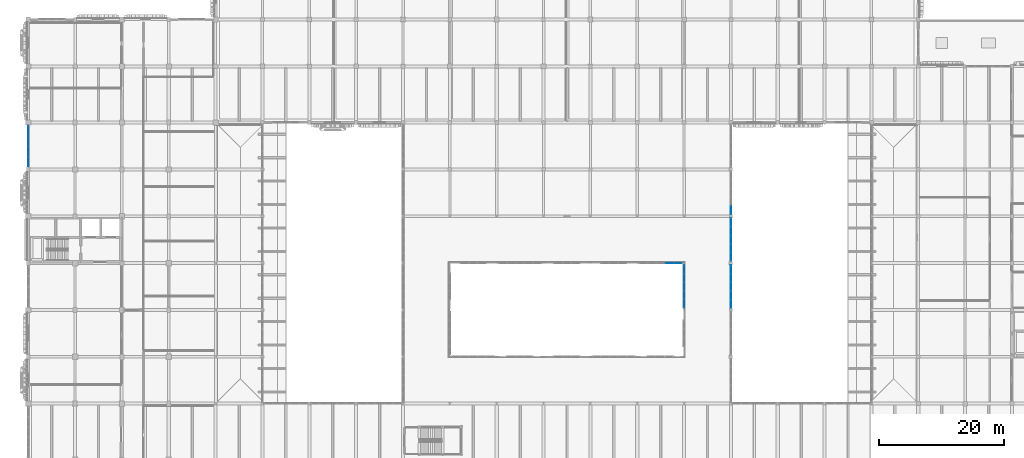
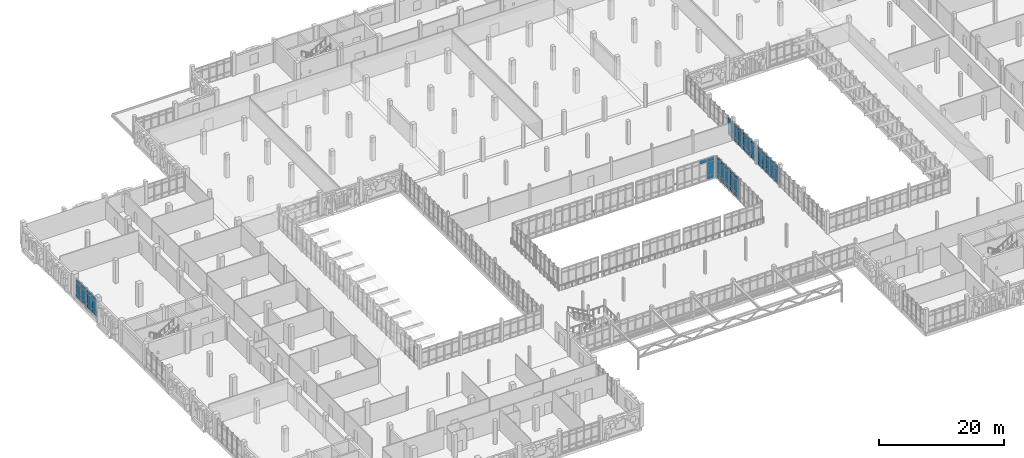
# One storey, part 81 of 128: 64 plates, 6 elements without a shape of their own.
"""IFC4 building model written with IfcOpenShell, lengths in metres."""

from ifc_helpers import new_model, si_unit, direction, frame, origin, origin_2d, place, context, subcontext, project, spatial, rectangle, extrude, material, layer, layer_set, type_object, element, aggregate, save


model = new_model("IFC4")

# Units and contexts
model_context = context("Model", 3, precision=1e-05, world=origin(), true_north=direction((0.0, 1.0)))
body_context = subcontext(model_context, "Body", "Model", "MODEL_VIEW")
ifc_project = project(units=[si_unit("LENGTHUNIT", "METRE"), si_unit("AREAUNIT", "SQUARE_METRE"), si_unit("VOLUMEUNIT", "CUBIC_METRE"), si_unit("PLANEANGLEUNIT", "RADIAN"), si_unit("MASSUNIT", "GRAM", prefix="KILO")], contexts=[model_context])

# Site, building, storey
site_placement = place(None, origin())
site = spatial("IfcSite", under=ifc_project, at=site_placement, CompositionType="ELEMENT")
building_placement = place(site_placement, origin())
building = spatial("IfcBuilding", under=site, at=building_placement, Name="Dalvernix Boulevard General Hospital", CompositionType="ELEMENT")
storey_placement = place(building_placement, frame((0.0, 0.0, 4.800048828125)))
storey = spatial("IfcBuildingStorey", under=building, at=storey_placement, Name="L01", CompositionType="ELEMENT", Elevation=4.800048828125)

# Curtain wall, plates
ifc_material_1 = material(Name="Thermally broken aluminium and solar-control glass curtain wall", Category="aluminium")
ifc_layer_1 = layer(ifc_material_1, 0.159912109375)
ifc_layer_set_1 = layer_set([ifc_layer_1], Name="Thermally broken aluminium and solar-control glass curtain wall (CW-CW-A-69x42)")
curtain_wall_type_1 = type_object("IfcCurtainWallType", Name="CW-CW-A-69x42", PredefinedType="USERDEFINED", material=ifc_layer_set_1)
curtain_wall_1_placement = place(storey_placement, origin())
curtain_wall_1 = element("IfcCurtainWall", 1, at=curtain_wall_1_placement, inside=storey, type_object=curtain_wall_type_1, Name="L01 curtain wall CW-A-69x42 13-7", ObjectType="GLAZED FACADE", PredefinedType="USERDEFINED")
ifc_material_2 = material(Name="Double-glazed solar-control low-emissivity glass", Category="glass")
ifc_layer_2 = layer(ifc_material_2, 0.02392578125)
ifc_layer_set_2 = layer_set([ifc_layer_2], Name="Double-glazed solar-control low-emissivity glass (PLT-CW-P1)")
plate_type_1 = type_object("IfcPlateType", Name="PLT-CW-P1", PredefinedType="CURTAIN_PANEL", material=ifc_layer_set_2)
plate_1_placement = place(storey_placement, frame((103.987060546875, 54.0, 0.059814453125), z_axis=(0.0, 0.0, 1.0), x_axis=(-1.0, 0.0, 0.0)))
plate_1 = element("IfcPlate", 2, at=plate_1_placement, type_object=plate_type_1, Name="CW-A-69x42 panel 1.1", PredefinedType="CURTAIN_PANEL", context=body_context, shape_type="SweptSolid", body=[
    extrude(rectangle(XDim=1.285888671875, YDim=0.02392578125, at=origin_2d()), origin(), (0.0, 0.0, 1.0), 0.81005859375),
])
plate_2_placement = place(storey_placement, frame((103.987060546875, 54.0, 0.93017578125), z_axis=(0.0, 0.0, 1.0), x_axis=(-1.0, 0.0, 0.0)))
plate_2 = element("IfcPlate", 3, at=plate_2_placement, type_object=plate_type_1, Name="CW-A-69x42 panel 1.2", PredefinedType="CURTAIN_PANEL", context=body_context, shape_type="SweptSolid", body=[
    extrude(rectangle(XDim=1.285888671875, YDim=0.02392578125, at=origin_2d()), origin(), (0.0, 0.0, 1.0), 2.469970703125),
])
plate_3_placement = place(storey_placement, frame((103.987060546875, 54.0, 3.4599609375), z_axis=(0.0, 0.0, 1.0), x_axis=(-1.0, 0.0, 0.0)))
plate_3 = element("IfcPlate", 4, at=plate_3_placement, type_object=plate_type_1, Name="CW-A-69x42 panel 1.3", PredefinedType="CURTAIN_PANEL", context=body_context, shape_type="SweptSolid", body=[
    extrude(rectangle(XDim=1.285888671875, YDim=0.02392578125, at=origin_2d()), origin(), (0.0, 0.0, 1.0), 0.659912109375),
])
plate_4_placement = place(storey_placement, frame((102.6259765625, 54.0, 3.4599609375), z_axis=(0.0, 0.0, 1.0), x_axis=(-1.0, 0.0, 0.0)))
plate_4 = element("IfcPlate", 5, at=plate_4_placement, type_object=plate_type_1, Name="CW-A-69x42 panel 2.3", PredefinedType="CURTAIN_PANEL", context=body_context, shape_type="SweptSolid", body=[
    extrude(rectangle(XDim=1.31591796875, YDim=0.02392578125, at=origin_2d()), origin(), (0.0, 0.0, 1.0), 0.659912109375),
])
aggregate(curtain_wall_1, [plate_1, plate_2, plate_3, plate_4])

curtain_wall_2_placement = place(storey_placement, origin())
curtain_wall_2 = element("IfcCurtainWall", 6, at=curtain_wall_2_placement, inside=storey, type_object=curtain_wall_type_1, Name="L01 curtain wall CW-A-69x42 14-6", ObjectType="GLAZED FACADE", PredefinedType="USERDEFINED")
plate_5_placement = place(storey_placement, frame((105.0, 47.512939453125, 0.059814453125), z_axis=(0.0, 0.0, 1.0), x_axis=(0.0, 1.0, 0.0)))
plate_5 = element("IfcPlate", 7, at=plate_5_placement, type_object=plate_type_1, Name="CW-A-69x42 panel 1.1", PredefinedType="CURTAIN_PANEL", context=body_context, shape_type="SweptSolid", body=[
    extrude(rectangle(XDim=1.285888671875, YDim=0.02392578125, at=origin_2d()), origin(), (0.0, 0.0, 1.0), 0.81005859375),
])
plate_6_placement = place(storey_placement, frame((105.0, 47.512939453125, 0.93017578125), z_axis=(0.0, 0.0, 1.0), x_axis=(0.0, 1.0, 0.0)))
plate_6 = element("IfcPlate", 8, at=plate_6_placement, type_object=plate_type_1, Name="CW-A-69x42 panel 1.2", PredefinedType="CURTAIN_PANEL", context=body_context, shape_type="SweptSolid", body=[
    extrude(rectangle(XDim=1.285888671875, YDim=0.02392578125, at=origin_2d()), origin(), (0.0, 0.0, 1.0), 2.469970703125),
])
plate_7_placement = place(storey_placement, frame((105.0, 47.512939453125, 3.4599609375), z_axis=(0.0, 0.0, 1.0), x_axis=(0.0, 1.0, 0.0)))
plate_7 = element("IfcPlate", 9, at=plate_7_placement, type_object=plate_type_1, Name="CW-A-69x42 panel 1.3", PredefinedType="CURTAIN_PANEL", context=body_context, shape_type="SweptSolid", body=[
    extrude(rectangle(XDim=1.285888671875, YDim=0.02392578125, at=origin_2d()), origin(), (0.0, 0.0, 1.0), 0.659912109375),
])
plate_8_placement = place(storey_placement, frame((105.0, 48.8740234375, 0.059814453125), z_axis=(0.0, 0.0, 1.0), x_axis=(0.0, 1.0, 0.0)))
plate_8 = element("IfcPlate", 10, at=plate_8_placement, type_object=plate_type_1, Name="CW-A-69x42 panel 2.1", PredefinedType="CURTAIN_PANEL", context=body_context, shape_type="SweptSolid", body=[
    extrude(rectangle(XDim=1.31591796875, YDim=0.02392578125, at=origin_2d()), origin(), (0.0, 0.0, 1.0), 0.81005859375),
])
plate_9_placement = place(storey_placement, frame((105.0, 48.8740234375, 0.93017578125), z_axis=(0.0, 0.0, 1.0), x_axis=(0.0, 1.0, 0.0)))
plate_9 = element("IfcPlate", 11, at=plate_9_placement, type_object=plate_type_1, Name="CW-A-69x42 panel 2.2", PredefinedType="CURTAIN_PANEL", context=body_context, shape_type="SweptSolid", body=[
    extrude(rectangle(XDim=1.31591796875, YDim=0.02392578125, at=origin_2d()), origin(), (0.0, 0.0, 1.0), 2.469970703125),
])
plate_10_placement = place(storey_placement, frame((105.0, 48.8740234375, 3.4599609375), z_axis=(0.0, 0.0, 1.0), x_axis=(0.0, 1.0, 0.0)))
plate_10 = element("IfcPlate", 12, at=plate_10_placement, type_object=plate_type_1, Name="CW-A-69x42 panel 2.3", PredefinedType="CURTAIN_PANEL", context=body_context, shape_type="SweptSolid", body=[
    extrude(rectangle(XDim=1.31591796875, YDim=0.02392578125, at=origin_2d()), origin(), (0.0, 0.0, 1.0), 0.659912109375),
])
plate_11_placement = place(storey_placement, frame((105.0, 50.25, 0.059814453125), z_axis=(0.0, 0.0, 1.0), x_axis=(0.0, 1.0, 0.0)))
plate_11 = element("IfcPlate", 13, at=plate_11_placement, type_object=plate_type_1, Name="CW-A-69x42 panel 3.1", PredefinedType="CURTAIN_PANEL", context=body_context, shape_type="SweptSolid", body=[
    extrude(rectangle(XDim=1.31591796875, YDim=0.02392578125, at=origin_2d()), origin(), (0.0, 0.0, 1.0), 0.81005859375),
])
plate_12_placement = place(storey_placement, frame((105.0, 50.25, 0.93017578125), z_axis=(0.0, 0.0, 1.0), x_axis=(0.0, 1.0, 0.0)))
plate_12 = element("IfcPlate", 14, at=plate_12_placement, type_object=plate_type_1, Name="CW-A-69x42 panel 3.2", PredefinedType="CURTAIN_PANEL", context=body_context, shape_type="SweptSolid", body=[
    extrude(rectangle(XDim=1.31591796875, YDim=0.02392578125, at=origin_2d()), origin(), (0.0, 0.0, 1.0), 2.469970703125),
])
plate_13_placement = place(storey_placement, frame((105.0, 50.25, 3.4599609375), z_axis=(0.0, 0.0, 1.0), x_axis=(0.0, 1.0, 0.0)))
plate_13 = element("IfcPlate", 15, at=plate_13_placement, type_object=plate_type_1, Name="CW-A-69x42 panel 3.3", PredefinedType="CURTAIN_PANEL", context=body_context, shape_type="SweptSolid", body=[
    extrude(rectangle(XDim=1.31591796875, YDim=0.02392578125, at=origin_2d()), origin(), (0.0, 0.0, 1.0), 0.659912109375),
])
plate_14_placement = place(storey_placement, frame((105.0, 51.6259765625, 0.059814453125), z_axis=(0.0, 0.0, 1.0), x_axis=(0.0, 1.0, 0.0)))
plate_14 = element("IfcPlate", 16, at=plate_14_placement, type_object=plate_type_1, Name="CW-A-69x42 panel 4.1", PredefinedType="CURTAIN_PANEL", context=body_context, shape_type="SweptSolid", body=[
    extrude(rectangle(XDim=1.31591796875, YDim=0.02392578125, at=origin_2d()), origin(), (0.0, 0.0, 1.0), 0.81005859375),
])
plate_15_placement = place(storey_placement, frame((105.0, 51.6259765625, 0.93017578125), z_axis=(0.0, 0.0, 1.0), x_axis=(0.0, 1.0, 0.0)))
plate_15 = element("IfcPlate", 17, at=plate_15_placement, type_object=plate_type_1, Name="CW-A-69x42 panel 4.2", PredefinedType="CURTAIN_PANEL", context=body_context, shape_type="SweptSolid", body=[
    extrude(rectangle(XDim=1.31591796875, YDim=0.02392578125, at=origin_2d()), origin(), (0.0, 0.0, 1.0), 2.469970703125),
])
plate_16_placement = place(storey_placement, frame((105.0, 51.6259765625, 3.4599609375), z_axis=(0.0, 0.0, 1.0), x_axis=(0.0, 1.0, 0.0)))
plate_16 = element("IfcPlate", 18, at=plate_16_placement, type_object=plate_type_1, Name="CW-A-69x42 panel 4.3", PredefinedType="CURTAIN_PANEL", context=body_context, shape_type="SweptSolid", body=[
    extrude(rectangle(XDim=1.31591796875, YDim=0.02392578125, at=origin_2d()), origin(), (0.0, 0.0, 1.0), 0.659912109375),
])
plate_17_placement = place(storey_placement, frame((105.0, 52.987060546875, 0.059814453125), z_axis=(0.0, 0.0, 1.0), x_axis=(0.0, 1.0, 0.0)))
plate_17 = element("IfcPlate", 19, at=plate_17_placement, type_object=plate_type_1, Name="CW-A-69x42 panel 5.1", PredefinedType="CURTAIN_PANEL", context=body_context, shape_type="SweptSolid", body=[
    extrude(rectangle(XDim=1.285888671875, YDim=0.02392578125, at=origin_2d()), origin(), (0.0, 0.0, 1.0), 0.81005859375),
])
plate_18_placement = place(storey_placement, frame((105.0, 52.987060546875, 0.93017578125), z_axis=(0.0, 0.0, 1.0), x_axis=(0.0, 1.0, 0.0)))
plate_18 = element("IfcPlate", 20, at=plate_18_placement, type_object=plate_type_1, Name="CW-A-69x42 panel 5.2", PredefinedType="CURTAIN_PANEL", context=body_context, shape_type="SweptSolid", body=[
    extrude(rectangle(XDim=1.285888671875, YDim=0.02392578125, at=origin_2d()), origin(), (0.0, 0.0, 1.0), 2.469970703125),
])
plate_19_placement = place(storey_placement, frame((105.0, 52.987060546875, 3.4599609375), z_axis=(0.0, 0.0, 1.0), x_axis=(0.0, 1.0, 0.0)))
plate_19 = element("IfcPlate", 21, at=plate_19_placement, type_object=plate_type_1, Name="CW-A-69x42 panel 5.3", PredefinedType="CURTAIN_PANEL", context=body_context, shape_type="SweptSolid", body=[
    extrude(rectangle(XDim=1.285888671875, YDim=0.02392578125, at=origin_2d()), origin(), (0.0, 0.0, 1.0), 0.659912109375),
])
aggregate(curtain_wall_2, [plate_5, plate_6, plate_7, plate_8, plate_9, plate_10, plate_11, plate_12, plate_13, plate_14, plate_15, plate_16, plate_17, plate_18, plate_19])

ifc_layer_3 = layer(ifc_material_1, 0.159912109375)
ifc_layer_set_3 = layer_set([ifc_layer_3], Name="Thermally broken aluminium and solar-control glass curtain wall (CW-CW-A-70x36)")
curtain_wall_type_2 = type_object("IfcCurtainWallType", Name="CW-CW-A-70x36", PredefinedType="USERDEFINED", material=ifc_layer_set_3)
curtain_wall_3_placement = place(storey_placement, origin())
curtain_wall_3 = element("IfcCurtainWall", 22, at=curtain_wall_3_placement, inside=storey, type_object=curtain_wall_type_2, Name="L01 curtain wall CW-A-70x36 15-8", ObjectType="GLAZED FACADE", PredefinedType="USERDEFINED")
plate_20_placement = place(storey_placement, frame((112.5, 62.470458984375, 0.059814453125), z_axis=(0.0, 0.0, 1.0), x_axis=(0.0, -1.0, 0.0)))
plate_20 = element("IfcPlate", 23, at=plate_20_placement, type_object=plate_type_1, Name="CW-A-70x36 panel 5.1", PredefinedType="CURTAIN_PANEL", context=body_context, shape_type="SweptSolid", body=[
    extrude(rectangle(XDim=1.301025390625, YDim=0.02392578125, at=origin_2d()), origin(), (0.0, 0.0, 1.0), 0.81005859375),
])
plate_21_placement = place(storey_placement, frame((112.5, 62.470458984375, 0.929931640625), z_axis=(0.0, 0.0, 1.0), x_axis=(0.0, -1.0, 0.0)))
plate_21 = element("IfcPlate", 24, at=plate_21_placement, type_object=plate_type_1, Name="CW-A-70x36 panel 5.2", PredefinedType="CURTAIN_PANEL", context=body_context, shape_type="SweptSolid", body=[
    extrude(rectangle(XDim=1.301025390625, YDim=0.02392578125, at=origin_2d()), origin(), (0.0, 0.0, 1.0), 1.919921875),
])
plate_22_placement = place(storey_placement, frame((112.5, 62.470458984375, 2.91015625), z_axis=(0.0, 0.0, 1.0), x_axis=(0.0, -1.0, 0.0)))
plate_22 = element("IfcPlate", 25, at=plate_22_placement, type_object=plate_type_1, Name="CW-A-70x36 panel 5.3", PredefinedType="CURTAIN_PANEL", context=body_context, shape_type="SweptSolid", body=[
    extrude(rectangle(XDim=1.301025390625, YDim=0.02392578125, at=origin_2d()), origin(), (0.0, 0.0, 1.0), 0.659912109375),
])
aggregate(curtain_wall_3, [plate_20, plate_21, plate_22])

ifc_layer_4 = layer(ifc_material_1, 0.179931640625)
ifc_layer_set_4 = layer_set([ifc_layer_4], Name="Thermally broken aluminium and solar-control glass curtain wall (CW-CW-B-67x36)")
curtain_wall_type_3 = type_object("IfcCurtainWallType", Name="CW-CW-B-67x36", PredefinedType="USERDEFINED", material=ifc_layer_set_4)
curtain_wall_4_placement = place(storey_placement, origin())
curtain_wall_4 = element("IfcCurtainWall", 26, at=curtain_wall_4_placement, inside=storey, type_object=curtain_wall_type_3, Name="L01 curtain wall CW-B-67x36 0-9", ObjectType="GLAZED FACADE", PredefinedType="USERDEFINED")
ifc_layer_5 = layer(ifc_material_2, 0.028076171875)
ifc_layer_set_5 = layer_set([ifc_layer_5], Name="Double-glazed solar-control low-emissivity glass (PLT-CW-P2)")
plate_type_2 = type_object("IfcPlateType", Name="PLT-CW-P2", PredefinedType="CURTAIN_PANEL", material=ifc_layer_set_5)
plate_23_placement = place(storey_placement, frame((0.0, 70.258056640625, 0.06494140625), z_axis=(0.0, 0.0, 1.0), x_axis=(0.0, 1.0, 0.0)))
plate_23 = element("IfcPlate", 27, at=plate_23_placement, type_object=plate_type_2, Name="CW-B-67x36 panel 1.1", PredefinedType="CURTAIN_PANEL", context=body_context, shape_type="SweptSolid", body=[
    extrude(rectangle(XDim=1.566162109375, YDim=0.028076171875, at=origin_2d()), origin(), (0.0, 0.0, 1.0), 0.802490234375),
])
plate_24_placement = place(storey_placement, frame((0.0, 70.258056640625, 0.932373046875), z_axis=(0.0, 0.0, 1.0), x_axis=(0.0, 1.0, 0.0)))
plate_24 = element("IfcPlate", 28, at=plate_24_placement, type_object=plate_type_2, Name="CW-B-67x36 panel 1.2", PredefinedType="CURTAIN_PANEL", context=body_context, shape_type="SweptSolid", body=[
    extrude(rectangle(XDim=1.566162109375, YDim=0.028076171875, at=origin_2d()), origin(), (0.0, 0.0, 1.0), 1.9150390625),
])
plate_25_placement = place(storey_placement, frame((0.0, 70.258056640625, 2.91259765625), z_axis=(0.0, 0.0, 1.0), x_axis=(0.0, 1.0, 0.0)))
plate_25 = element("IfcPlate", 29, at=plate_25_placement, type_object=plate_type_2, Name="CW-B-67x36 panel 1.3", PredefinedType="CURTAIN_PANEL", context=body_context, shape_type="SweptSolid", body=[
    extrude(rectangle(XDim=1.566162109375, YDim=0.028076171875, at=origin_2d()), origin(), (0.0, 0.0, 1.0), 0.652587890625),
])
plate_26_placement = place(storey_placement, frame((0.0, 71.905517578125, 0.06494140625), z_axis=(0.0, 0.0, 1.0), x_axis=(0.0, 1.0, 0.0)))
plate_26 = element("IfcPlate", 30, at=plate_26_placement, type_object=plate_type_2, Name="CW-B-67x36 panel 2.1", PredefinedType="CURTAIN_PANEL", context=body_context, shape_type="SweptSolid", body=[
    extrude(rectangle(XDim=1.5986328125, YDim=0.028076171875, at=origin_2d()), origin(), (0.0, 0.0, 1.0), 0.802490234375),
])
plate_27_placement = place(storey_placement, frame((0.0, 71.905517578125, 0.932373046875), z_axis=(0.0, 0.0, 1.0), x_axis=(0.0, 1.0, 0.0)))
plate_27 = element("IfcPlate", 31, at=plate_27_placement, type_object=plate_type_2, Name="CW-B-67x36 panel 2.2", PredefinedType="CURTAIN_PANEL", context=body_context, shape_type="SweptSolid", body=[
    extrude(rectangle(XDim=1.5986328125, YDim=0.028076171875, at=origin_2d()), origin(), (0.0, 0.0, 1.0), 1.9150390625),
])
plate_28_placement = place(storey_placement, frame((0.0, 71.905517578125, 2.91259765625), z_axis=(0.0, 0.0, 1.0), x_axis=(0.0, 1.0, 0.0)))
plate_28 = element("IfcPlate", 32, at=plate_28_placement, type_object=plate_type_2, Name="CW-B-67x36 panel 2.3", PredefinedType="CURTAIN_PANEL", context=body_context, shape_type="SweptSolid", body=[
    extrude(rectangle(XDim=1.5986328125, YDim=0.028076171875, at=origin_2d()), origin(), (0.0, 0.0, 1.0), 0.652587890625),
])
plate_29_placement = place(storey_placement, frame((0.0, 73.5693359375, 0.06494140625), z_axis=(0.0, 0.0, 1.0), x_axis=(0.0, 1.0, 0.0)))
plate_29 = element("IfcPlate", 33, at=plate_29_placement, type_object=plate_type_2, Name="CW-B-67x36 panel 3.1", PredefinedType="CURTAIN_PANEL", context=body_context, shape_type="SweptSolid", body=[
    extrude(rectangle(XDim=1.5986328125, YDim=0.028076171875, at=origin_2d()), origin(), (0.0, 0.0, 1.0), 0.802490234375),
])
plate_30_placement = place(storey_placement, frame((0.0, 73.5693359375, 0.932373046875), z_axis=(0.0, 0.0, 1.0), x_axis=(0.0, 1.0, 0.0)))
plate_30 = element("IfcPlate", 34, at=plate_30_placement, type_object=plate_type_2, Name="CW-B-67x36 panel 3.2", PredefinedType="CURTAIN_PANEL", context=body_context, shape_type="SweptSolid", body=[
    extrude(rectangle(XDim=1.5986328125, YDim=0.028076171875, at=origin_2d()), origin(), (0.0, 0.0, 1.0), 1.9150390625),
])
plate_31_placement = place(storey_placement, frame((0.0, 73.5693359375, 2.91259765625), z_axis=(0.0, 0.0, 1.0), x_axis=(0.0, 1.0, 0.0)))
plate_31 = element("IfcPlate", 35, at=plate_31_placement, type_object=plate_type_2, Name="CW-B-67x36 panel 3.3", PredefinedType="CURTAIN_PANEL", context=body_context, shape_type="SweptSolid", body=[
    extrude(rectangle(XDim=1.5986328125, YDim=0.028076171875, at=origin_2d()), origin(), (0.0, 0.0, 1.0), 0.652587890625),
])
plate_32_placement = place(storey_placement, frame((0.0, 75.216796875, 0.06494140625), z_axis=(0.0, 0.0, 1.0), x_axis=(0.0, 1.0, 0.0)))
plate_32 = element("IfcPlate", 36, at=plate_32_placement, type_object=plate_type_2, Name="CW-B-67x36 panel 4.1", PredefinedType="CURTAIN_PANEL", context=body_context, shape_type="SweptSolid", body=[
    extrude(rectangle(XDim=1.566162109375, YDim=0.028076171875, at=origin_2d()), origin(), (0.0, 0.0, 1.0), 0.802490234375),
])
plate_33_placement = place(storey_placement, frame((0.0, 75.216796875, 0.932373046875), z_axis=(0.0, 0.0, 1.0), x_axis=(0.0, 1.0, 0.0)))
plate_33 = element("IfcPlate", 37, at=plate_33_placement, type_object=plate_type_2, Name="CW-B-67x36 panel 4.2", PredefinedType="CURTAIN_PANEL", context=body_context, shape_type="SweptSolid", body=[
    extrude(rectangle(XDim=1.566162109375, YDim=0.028076171875, at=origin_2d()), origin(), (0.0, 0.0, 1.0), 1.9150390625),
])
plate_34_placement = place(storey_placement, frame((0.0, 75.216796875, 2.91259765625), z_axis=(0.0, 0.0, 1.0), x_axis=(0.0, 1.0, 0.0)))
plate_34 = element("IfcPlate", 38, at=plate_34_placement, type_object=plate_type_2, Name="CW-B-67x36 panel 4.3", PredefinedType="CURTAIN_PANEL", context=body_context, shape_type="SweptSolid", body=[
    extrude(rectangle(XDim=1.566162109375, YDim=0.028076171875, at=origin_2d()), origin(), (0.0, 0.0, 1.0), 0.652587890625),
])
aggregate(curtain_wall_4, [plate_23, plate_24, plate_25, plate_26, plate_27, plate_28, plate_29, plate_30, plate_31, plate_32, plate_33, plate_34])

ifc_layer_6 = layer(ifc_material_1, 0.179931640625)
ifc_layer_set_6 = layer_set([ifc_layer_6], Name="Thermally broken aluminium and solar-control glass curtain wall (CW-CW-B-70x36)")
curtain_wall_type_4 = type_object("IfcCurtainWallType", Name="CW-CW-B-70x36", PredefinedType="USERDEFINED", material=ifc_layer_set_6)
curtain_wall_5_placement = place(storey_placement, origin())
curtain_wall_5 = element("IfcCurtainWall", 39, at=curtain_wall_5_placement, inside=storey, type_object=curtain_wall_type_4, Name="L01 curtain wall CW-B-70x36 15-6", ObjectType="GLAZED FACADE", PredefinedType="USERDEFINED")
plate_35_placement = place(storey_placement, frame((112.5, 53.003173828125, 0.06494140625), z_axis=(0.0, 0.0, 1.0), x_axis=(0.0, -1.0, 0.0)))
plate_35 = element("IfcPlate", 40, at=plate_35_placement, type_object=plate_type_2, Name="CW-B-70x36 panel 1.1", PredefinedType="CURTAIN_PANEL", context=body_context, shape_type="SweptSolid", body=[
    extrude(rectangle(XDim=1.29345703125, YDim=0.028076171875, at=origin_2d()), origin(), (0.0, 0.0, 1.0), 0.802490234375),
])
plate_36_placement = place(storey_placement, frame((112.5, 53.003173828125, 0.932373046875), z_axis=(0.0, 0.0, 1.0), x_axis=(0.0, -1.0, 0.0)))
plate_36 = element("IfcPlate", 41, at=plate_36_placement, type_object=plate_type_2, Name="CW-B-70x36 panel 1.2", PredefinedType="CURTAIN_PANEL", context=body_context, shape_type="SweptSolid", body=[
    extrude(rectangle(XDim=1.29345703125, YDim=0.028076171875, at=origin_2d()), origin(), (0.0, 0.0, 1.0), 1.9150390625),
])
plate_37_placement = place(storey_placement, frame((112.5, 53.003173828125, 2.91259765625), z_axis=(0.0, 0.0, 1.0), x_axis=(0.0, -1.0, 0.0)))
plate_37 = element("IfcPlate", 42, at=plate_37_placement, type_object=plate_type_2, Name="CW-B-70x36 panel 1.3", PredefinedType="CURTAIN_PANEL", context=body_context, shape_type="SweptSolid", body=[
    extrude(rectangle(XDim=1.29345703125, YDim=0.028076171875, at=origin_2d()), origin(), (0.0, 0.0, 1.0), 0.652587890625),
])
plate_38_placement = place(storey_placement, frame((112.5, 51.62841796875, 0.06494140625), z_axis=(0.0, 0.0, 1.0), x_axis=(0.0, -1.0, 0.0)))
plate_38 = element("IfcPlate", 43, at=plate_38_placement, type_object=plate_type_2, Name="CW-B-70x36 panel 2.1", PredefinedType="CURTAIN_PANEL", context=body_context, shape_type="SweptSolid", body=[
    extrude(rectangle(XDim=1.325927734375, YDim=0.028076171875, at=origin_2d()), origin(), (0.0, 0.0, 1.0), 0.802490234375),
])
plate_39_placement = place(storey_placement, frame((112.5, 51.62841796875, 0.932373046875), z_axis=(0.0, 0.0, 1.0), x_axis=(0.0, -1.0, 0.0)))
plate_39 = element("IfcPlate", 44, at=plate_39_placement, type_object=plate_type_2, Name="CW-B-70x36 panel 2.2", PredefinedType="CURTAIN_PANEL", context=body_context, shape_type="SweptSolid", body=[
    extrude(rectangle(XDim=1.325927734375, YDim=0.028076171875, at=origin_2d()), origin(), (0.0, 0.0, 1.0), 1.9150390625),
])
plate_40_placement = place(storey_placement, frame((112.5, 51.62841796875, 2.91259765625), z_axis=(0.0, 0.0, 1.0), x_axis=(0.0, -1.0, 0.0)))
plate_40 = element("IfcPlate", 45, at=plate_40_placement, type_object=plate_type_2, Name="CW-B-70x36 panel 2.3", PredefinedType="CURTAIN_PANEL", context=body_context, shape_type="SweptSolid", body=[
    extrude(rectangle(XDim=1.325927734375, YDim=0.028076171875, at=origin_2d()), origin(), (0.0, 0.0, 1.0), 0.652587890625),
])
plate_41_placement = place(storey_placement, frame((112.5, 50.237548828125, 0.06494140625), z_axis=(0.0, 0.0, 1.0), x_axis=(0.0, -1.0, 0.0)))
plate_41 = element("IfcPlate", 46, at=plate_41_placement, type_object=plate_type_2, Name="CW-B-70x36 panel 3.1", PredefinedType="CURTAIN_PANEL", context=body_context, shape_type="SweptSolid", body=[
    extrude(rectangle(XDim=1.325927734375, YDim=0.028076171875, at=origin_2d()), origin(), (0.0, 0.0, 1.0), 0.802490234375),
])
plate_42_placement = place(storey_placement, frame((112.5, 50.237548828125, 0.932373046875), z_axis=(0.0, 0.0, 1.0), x_axis=(0.0, -1.0, 0.0)))
plate_42 = element("IfcPlate", 47, at=plate_42_placement, type_object=plate_type_2, Name="CW-B-70x36 panel 3.2", PredefinedType="CURTAIN_PANEL", context=body_context, shape_type="SweptSolid", body=[
    extrude(rectangle(XDim=1.325927734375, YDim=0.028076171875, at=origin_2d()), origin(), (0.0, 0.0, 1.0), 1.9150390625),
])
plate_43_placement = place(storey_placement, frame((112.5, 50.237548828125, 2.91259765625), z_axis=(0.0, 0.0, 1.0), x_axis=(0.0, -1.0, 0.0)))
plate_43 = element("IfcPlate", 48, at=plate_43_placement, type_object=plate_type_2, Name="CW-B-70x36 panel 3.3", PredefinedType="CURTAIN_PANEL", context=body_context, shape_type="SweptSolid", body=[
    extrude(rectangle(XDim=1.325927734375, YDim=0.028076171875, at=origin_2d()), origin(), (0.0, 0.0, 1.0), 0.652587890625),
])
plate_44_placement = place(storey_placement, frame((112.5, 48.846435546875, 0.06494140625), z_axis=(0.0, 0.0, 1.0), x_axis=(0.0, -1.0, 0.0)))
plate_44 = element("IfcPlate", 49, at=plate_44_placement, type_object=plate_type_2, Name="CW-B-70x36 panel 4.1", PredefinedType="CURTAIN_PANEL", context=body_context, shape_type="SweptSolid", body=[
    extrude(rectangle(XDim=1.325927734375, YDim=0.028076171875, at=origin_2d()), origin(), (0.0, 0.0, 1.0), 0.802490234375),
])
plate_45_placement = place(storey_placement, frame((112.5, 48.846435546875, 0.932373046875), z_axis=(0.0, 0.0, 1.0), x_axis=(0.0, -1.0, 0.0)))
plate_45 = element("IfcPlate", 50, at=plate_45_placement, type_object=plate_type_2, Name="CW-B-70x36 panel 4.2", PredefinedType="CURTAIN_PANEL", context=body_context, shape_type="SweptSolid", body=[
    extrude(rectangle(XDim=1.325927734375, YDim=0.028076171875, at=origin_2d()), origin(), (0.0, 0.0, 1.0), 1.9150390625),
])
plate_46_placement = place(storey_placement, frame((112.5, 48.846435546875, 2.91259765625), z_axis=(0.0, 0.0, 1.0), x_axis=(0.0, -1.0, 0.0)))
plate_46 = element("IfcPlate", 51, at=plate_46_placement, type_object=plate_type_2, Name="CW-B-70x36 panel 4.3", PredefinedType="CURTAIN_PANEL", context=body_context, shape_type="SweptSolid", body=[
    extrude(rectangle(XDim=1.325927734375, YDim=0.028076171875, at=origin_2d()), origin(), (0.0, 0.0, 1.0), 0.652587890625),
])
plate_47_placement = place(storey_placement, frame((112.5, 47.4716796875, 0.06494140625), z_axis=(0.0, 0.0, 1.0), x_axis=(0.0, -1.0, 0.0)))
plate_47 = element("IfcPlate", 52, at=plate_47_placement, type_object=plate_type_2, Name="CW-B-70x36 panel 5.1", PredefinedType="CURTAIN_PANEL", context=body_context, shape_type="SweptSolid", body=[
    extrude(rectangle(XDim=1.29345703125, YDim=0.028076171875, at=origin_2d()), origin(), (0.0, 0.0, 1.0), 0.802490234375),
])
plate_48_placement = place(storey_placement, frame((112.5, 47.4716796875, 0.932373046875), z_axis=(0.0, 0.0, 1.0), x_axis=(0.0, -1.0, 0.0)))
plate_48 = element("IfcPlate", 53, at=plate_48_placement, type_object=plate_type_2, Name="CW-B-70x36 panel 5.2", PredefinedType="CURTAIN_PANEL", context=body_context, shape_type="SweptSolid", body=[
    extrude(rectangle(XDim=1.29345703125, YDim=0.028076171875, at=origin_2d()), origin(), (0.0, 0.0, 1.0), 1.9150390625),
])
plate_49_placement = place(storey_placement, frame((112.5, 47.4716796875, 2.91259765625), z_axis=(0.0, 0.0, 1.0), x_axis=(0.0, -1.0, 0.0)))
plate_49 = element("IfcPlate", 54, at=plate_49_placement, type_object=plate_type_2, Name="CW-B-70x36 panel 5.3", PredefinedType="CURTAIN_PANEL", context=body_context, shape_type="SweptSolid", body=[
    extrude(rectangle(XDim=1.29345703125, YDim=0.028076171875, at=origin_2d()), origin(), (0.0, 0.0, 1.0), 0.652587890625),
])
aggregate(curtain_wall_5, [plate_35, plate_36, plate_37, plate_38, plate_39, plate_40, plate_41, plate_42, plate_43, plate_44, plate_45, plate_46, plate_47, plate_48, plate_49])

ifc_layer_7 = layer(ifc_material_1, 0.199951171875)
ifc_layer_set_7 = layer_set([ifc_layer_7], Name="Thermally broken aluminium and solar-control glass curtain wall (CW-CW-C-70x36)")
curtain_wall_type_5 = type_object("IfcCurtainWallType", Name="CW-CW-C-70x36", PredefinedType="USERDEFINED", material=ifc_layer_set_7)
curtain_wall_6_placement = place(storey_placement, origin())
curtain_wall_6 = element("IfcCurtainWall", 55, at=curtain_wall_6_placement, inside=storey, type_object=curtain_wall_type_5, Name="L01 curtain wall CW-C-70x36 15-7", ObjectType="GLAZED FACADE", PredefinedType="USERDEFINED")
ifc_layer_8 = layer(ifc_material_2, 0.035888671875)
ifc_layer_set_8 = layer_set([ifc_layer_8], Name="Double-glazed solar-control low-emissivity glass (PLT-CW-P3)")
plate_type_3 = type_object("IfcPlateType", Name="PLT-CW-P3", PredefinedType="CURTAIN_PANEL", material=ifc_layer_set_8)
plate_50_placement = place(storey_placement, frame((112.5, 60.527099609375, 0.070068359375), z_axis=(0.0, 0.0, 1.0), x_axis=(0.0, -1.0, 0.0)))
plate_50 = element("IfcPlate", 56, at=plate_50_placement, type_object=plate_type_3, Name="CW-C-70x36 panel 1.1", PredefinedType="CURTAIN_PANEL", context=body_context, shape_type="SweptSolid", body=[
    extrude(rectangle(XDim=1.285888671875, YDim=0.035888671875, at=origin_2d()), origin(), (0.0, 0.0, 1.0), 0.794921875),
])
plate_51_placement = place(storey_placement, frame((112.5, 60.527099609375, 0.93505859375), z_axis=(0.0, 0.0, 1.0), x_axis=(0.0, -1.0, 0.0)))
plate_51 = element("IfcPlate", 57, at=plate_51_placement, type_object=plate_type_3, Name="CW-C-70x36 panel 1.2", PredefinedType="CURTAIN_PANEL", context=body_context, shape_type="SweptSolid", body=[
    extrude(rectangle(XDim=1.285888671875, YDim=0.035888671875, at=origin_2d()), origin(), (0.0, 0.0, 1.0), 1.909912109375),
])
plate_52_placement = place(storey_placement, frame((112.5, 60.527099609375, 2.9150390625), z_axis=(0.0, 0.0, 1.0), x_axis=(0.0, -1.0, 0.0)))
plate_52 = element("IfcPlate", 58, at=plate_52_placement, type_object=plate_type_3, Name="CW-C-70x36 panel 1.3", PredefinedType="CURTAIN_PANEL", context=body_context, shape_type="SweptSolid", body=[
    extrude(rectangle(XDim=1.285888671875, YDim=0.035888671875, at=origin_2d()), origin(), (0.0, 0.0, 1.0), 0.64501953125),
])
plate_53_placement = place(storey_placement, frame((112.5, 59.153564453125, 0.070068359375), z_axis=(0.0, 0.0, 1.0), x_axis=(0.0, -1.0, 0.0)))
plate_53 = element("IfcPlate", 59, at=plate_53_placement, type_object=plate_type_3, Name="CW-C-70x36 panel 2.1", PredefinedType="CURTAIN_PANEL", context=body_context, shape_type="SweptSolid", body=[
    extrude(rectangle(XDim=1.321044921875, YDim=0.035888671875, at=origin_2d()), origin(), (0.0, 0.0, 1.0), 0.794921875),
])
plate_54_placement = place(storey_placement, frame((112.5, 59.153564453125, 0.93505859375), z_axis=(0.0, 0.0, 1.0), x_axis=(0.0, -1.0, 0.0)))
plate_54 = element("IfcPlate", 60, at=plate_54_placement, type_object=plate_type_3, Name="CW-C-70x36 panel 2.2", PredefinedType="CURTAIN_PANEL", context=body_context, shape_type="SweptSolid", body=[
    extrude(rectangle(XDim=1.321044921875, YDim=0.035888671875, at=origin_2d()), origin(), (0.0, 0.0, 1.0), 1.909912109375),
])
plate_55_placement = place(storey_placement, frame((112.5, 59.153564453125, 2.9150390625), z_axis=(0.0, 0.0, 1.0), x_axis=(0.0, -1.0, 0.0)))
plate_55 = element("IfcPlate", 61, at=plate_55_placement, type_object=plate_type_3, Name="CW-C-70x36 panel 2.3", PredefinedType="CURTAIN_PANEL", context=body_context, shape_type="SweptSolid", body=[
    extrude(rectangle(XDim=1.321044921875, YDim=0.035888671875, at=origin_2d()), origin(), (0.0, 0.0, 1.0), 0.64501953125),
])
plate_56_placement = place(storey_placement, frame((112.5, 57.762451171875, 0.070068359375), z_axis=(0.0, 0.0, 1.0), x_axis=(0.0, -1.0, 0.0)))
plate_56 = element("IfcPlate", 62, at=plate_56_placement, type_object=plate_type_3, Name="CW-C-70x36 panel 3.1", PredefinedType="CURTAIN_PANEL", context=body_context, shape_type="SweptSolid", body=[
    extrude(rectangle(XDim=1.321044921875, YDim=0.035888671875, at=origin_2d()), origin(), (0.0, 0.0, 1.0), 0.794921875),
])
plate_57_placement = place(storey_placement, frame((112.5, 57.762451171875, 0.93505859375), z_axis=(0.0, 0.0, 1.0), x_axis=(0.0, -1.0, 0.0)))
plate_57 = element("IfcPlate", 63, at=plate_57_placement, type_object=plate_type_3, Name="CW-C-70x36 panel 3.2", PredefinedType="CURTAIN_PANEL", context=body_context, shape_type="SweptSolid", body=[
    extrude(rectangle(XDim=1.321044921875, YDim=0.035888671875, at=origin_2d()), origin(), (0.0, 0.0, 1.0), 1.909912109375),
])
plate_58_placement = place(storey_placement, frame((112.5, 57.762451171875, 2.9150390625), z_axis=(0.0, 0.0, 1.0), x_axis=(0.0, -1.0, 0.0)))
plate_58 = element("IfcPlate", 64, at=plate_58_placement, type_object=plate_type_3, Name="CW-C-70x36 panel 3.3", PredefinedType="CURTAIN_PANEL", context=body_context, shape_type="SweptSolid", body=[
    extrude(rectangle(XDim=1.321044921875, YDim=0.035888671875, at=origin_2d()), origin(), (0.0, 0.0, 1.0), 0.64501953125),
])
plate_59_placement = place(storey_placement, frame((112.5, 56.37158203125, 0.070068359375), z_axis=(0.0, 0.0, 1.0), x_axis=(0.0, -1.0, 0.0)))
plate_59 = element("IfcPlate", 65, at=plate_59_placement, type_object=plate_type_3, Name="CW-C-70x36 panel 4.1", PredefinedType="CURTAIN_PANEL", context=body_context, shape_type="SweptSolid", body=[
    extrude(rectangle(XDim=1.321044921875, YDim=0.035888671875, at=origin_2d()), origin(), (0.0, 0.0, 1.0), 0.794921875),
])
plate_60_placement = place(storey_placement, frame((112.5, 56.37158203125, 0.93505859375), z_axis=(0.0, 0.0, 1.0), x_axis=(0.0, -1.0, 0.0)))
plate_60 = element("IfcPlate", 66, at=plate_60_placement, type_object=plate_type_3, Name="CW-C-70x36 panel 4.2", PredefinedType="CURTAIN_PANEL", context=body_context, shape_type="SweptSolid", body=[
    extrude(rectangle(XDim=1.321044921875, YDim=0.035888671875, at=origin_2d()), origin(), (0.0, 0.0, 1.0), 1.909912109375),
])
plate_61_placement = place(storey_placement, frame((112.5, 56.37158203125, 2.9150390625), z_axis=(0.0, 0.0, 1.0), x_axis=(0.0, -1.0, 0.0)))
plate_61 = element("IfcPlate", 67, at=plate_61_placement, type_object=plate_type_3, Name="CW-C-70x36 panel 4.3", PredefinedType="CURTAIN_PANEL", context=body_context, shape_type="SweptSolid", body=[
    extrude(rectangle(XDim=1.321044921875, YDim=0.035888671875, at=origin_2d()), origin(), (0.0, 0.0, 1.0), 0.64501953125),
])
plate_62_placement = place(storey_placement, frame((112.5, 54.998046875, 0.070068359375), z_axis=(0.0, 0.0, 1.0), x_axis=(0.0, -1.0, 0.0)))
plate_62 = element("IfcPlate", 68, at=plate_62_placement, type_object=plate_type_3, Name="CW-C-70x36 panel 5.1", PredefinedType="CURTAIN_PANEL", context=body_context, shape_type="SweptSolid", body=[
    extrude(rectangle(XDim=1.285888671875, YDim=0.035888671875, at=origin_2d()), origin(), (0.0, 0.0, 1.0), 0.794921875),
])
plate_63_placement = place(storey_placement, frame((112.5, 54.998046875, 0.93505859375), z_axis=(0.0, 0.0, 1.0), x_axis=(0.0, -1.0, 0.0)))
plate_63 = element("IfcPlate", 69, at=plate_63_placement, type_object=plate_type_3, Name="CW-C-70x36 panel 5.2", PredefinedType="CURTAIN_PANEL", context=body_context, shape_type="SweptSolid", body=[
    extrude(rectangle(XDim=1.285888671875, YDim=0.035888671875, at=origin_2d()), origin(), (0.0, 0.0, 1.0), 1.909912109375),
])
plate_64_placement = place(storey_placement, frame((112.5, 54.998046875, 2.9150390625), z_axis=(0.0, 0.0, 1.0), x_axis=(0.0, -1.0, 0.0)))
plate_64 = element("IfcPlate", 70, at=plate_64_placement, type_object=plate_type_3, Name="CW-C-70x36 panel 5.3", PredefinedType="CURTAIN_PANEL", context=body_context, shape_type="SweptSolid", body=[
    extrude(rectangle(XDim=1.285888671875, YDim=0.035888671875, at=origin_2d()), origin(), (0.0, 0.0, 1.0), 0.64501953125),
])
aggregate(curtain_wall_6, [plate_50, plate_51, plate_52, plate_53, plate_54, plate_55, plate_56, plate_57, plate_58, plate_59, plate_60, plate_61, plate_62, plate_63, plate_64])

save(model, "model.ifc")
